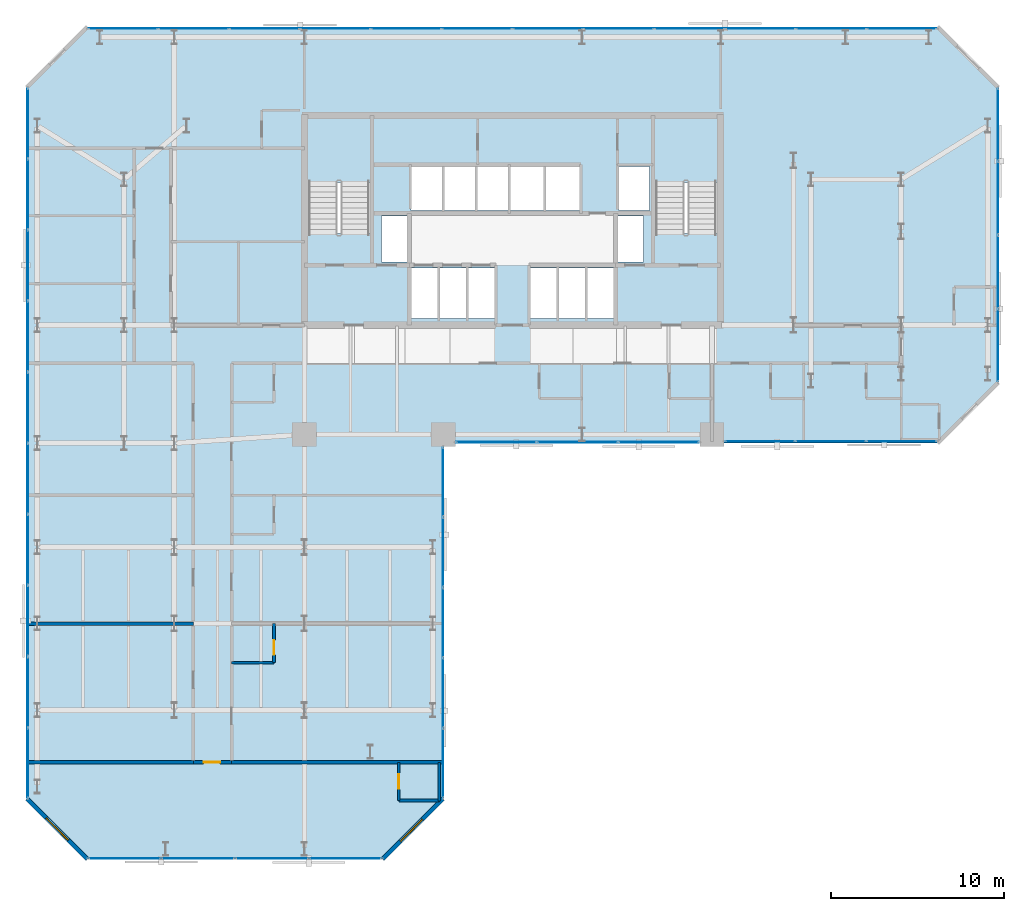
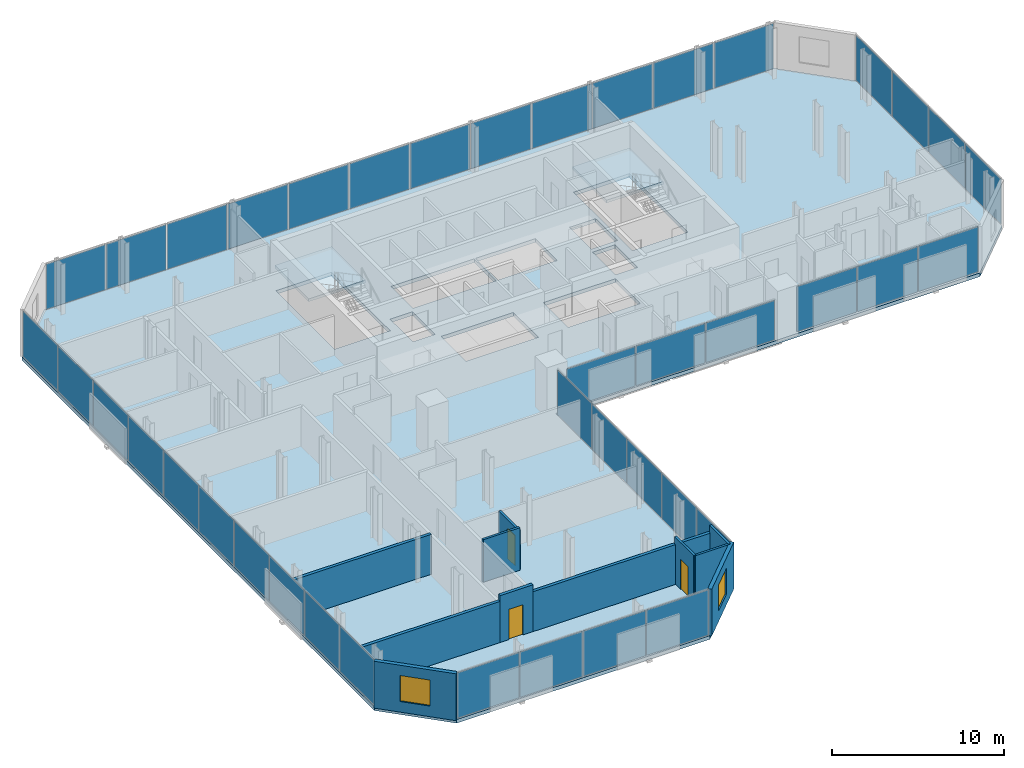
# One storey, part 27 of 32: 41 plates, 11 walls, 3 doors, 3 slabs, 2 windows, 5 openings, 9 elements without a shape of their own.
"""IFC4 building model written with IfcOpenShell, lengths in metres."""

import ifcopenshell
import ifcopenshell.guid

model = None  # the IFC model being written
_history = None  # IfcOwnerHistory: only IFC2X3 demands one
_inside = {}  # id of a spatial element -> (the spatial element, [elements in it])
_under = {}  # id of a project, library or spatial element -> (it, [spatial elements below it])
_declared = {}  # id of a project -> (the project, [libraries it declares])
_typed = {}  # id of a type object -> (the type object, [elements of that type])
_made_of = {}  # id of a material, layer set ... -> (it, [elements and type objects made of it])


def new_model(schema):
    """Start an empty IFC model of exactly this schema.

    Asked for "IFC4X3", IfcOpenShell would pick the latest addendum, in which some entities
    have other attributes; the version numbers below select the first issue.
    IFC2X3 requires an IfcOwnerHistory on every rooted entity: one is made here for all.
    """
    global model, _history
    if schema == "IFC4X3":
        model = ifcopenshell.file(schema_version=(4, 3, 0, 0))
    else:
        model = ifcopenshell.file(schema=schema)
    _inside.clear()
    _under.clear()
    _declared.clear()
    _typed.clear()
    _made_of.clear()
    _history = None
    if model.schema == "IFC2X3":
        org = make("IfcOrganization", Name="unknown")
        user = make(
            "IfcPersonAndOrganization",
            ThePerson=make("IfcPerson", FamilyName="unknown"),
            TheOrganization=org,
        )
        app = make(
            "IfcApplication",
            ApplicationDeveloper=org,
            Version="unknown",
            ApplicationFullName="unknown",
            ApplicationIdentifier="unknown",
        )
        _history = make(
            "IfcOwnerHistory",
            OwningUser=user,
            OwningApplication=app,
            ChangeAction="ADDED",
            CreationDate=0,
        )
    return model


def make(cls, **values):
    """One entity of the class cls with the attributes given. An attribute that is None is left unset."""
    return model.create_entity(
        cls, **{name: value for name, value in values.items() if value is not None}
    )


def rooted(cls, **values):
    """An entity with a GlobalId (a new one), such as an element, a storey or a relation."""
    return make(cls, GlobalId=ifcopenshell.guid.new(), OwnerHistory=_history, **values)


def si_unit(unit_type, name, prefix=None):
    """IfcSIUnit, for example si_unit("LENGTHUNIT", "METRE", prefix="MILLI")."""
    return make("IfcSIUnit", UnitType=unit_type, Prefix=prefix, Name=name)


def assignment(units):
    """IfcUnitAssignment: the units of a project."""
    return None if units is None else make("IfcUnitAssignment", Units=units)


def point(xyz):
    """IfcCartesianPoint."""
    return None if xyz is None else make("IfcCartesianPoint", Coordinates=xyz)


def direction(xyz):
    """IfcDirection."""
    return None if xyz is None else make("IfcDirection", DirectionRatios=xyz)


def frame(location, z_axis=None, x_axis=None):
    """IfcAxis2Placement3D, a coordinate frame: its origin and axes. An axis left out is left unset."""
    return make(
        "IfcAxis2Placement3D",
        Location=point(location),
        Axis=direction(z_axis),
        RefDirection=direction(x_axis),
    )


def frame_2d(location, x_axis=None):
    """IfcAxis2Placement2D, a coordinate frame in the plane: its origin and x axis."""
    return make(
        "IfcAxis2Placement2D", Location=point(location), RefDirection=direction(x_axis)
    )


def origin():
    """The frame at (0, 0, 0) with its axes left unset."""
    return frame((0.0, 0.0, 0.0))


def origin_2d():
    """The frame at (0, 0) in the plane with its x axis left unset."""
    return frame_2d((0.0, 0.0))


def place(relative_to, where):
    """IfcLocalPlacement: puts the frame where relative to a parent placement (None: the world)."""
    return make(
        "IfcLocalPlacement", PlacementRelTo=relative_to, RelativePlacement=where
    )


def context(
    kind, dimensions, precision=None, world=None, true_north=None, identifier=None
):
    """IfcGeometricRepresentationContext, for example the 3D "Model" context."""
    return make(
        "IfcGeometricRepresentationContext",
        ContextIdentifier=identifier,
        ContextType=kind,
        CoordinateSpaceDimension=dimensions,
        Precision=precision,
        WorldCoordinateSystem=world,
        TrueNorth=true_north,
    )


def subcontext(parent, identifier, kind, view, scale=None):
    """IfcGeometricRepresentationSubContext, for example "Body" below "Model"."""
    return make(
        "IfcGeometricRepresentationSubContext",
        ContextIdentifier=identifier,
        ContextType=kind,
        ParentContext=parent,
        TargetScale=scale,
        TargetView=view,
    )


def project(units=None, contexts=None):
    """IfcProject with its units and contexts."""
    return rooted(
        "IfcProject",
        Name="project",
        RepresentationContexts=contexts,
        UnitsInContext=assignment(units),
    )


def spatial(cls, under=None, at=None, **own):
    """A site, building, storey or space (cls), placed at a placement, below another one or the project."""
    s = rooted(cls, ObjectPlacement=at, **own)
    if under is not None:
        _under.setdefault(under.id(), (under, []))[1].append(s)
    return s


def polyline(points):
    """IfcPolyline through the points."""
    return make("IfcPolyline", Points=[point(p) for p in points])


def profile(cls, at=None, kind="AREA", **sizes):
    """A parametric profile (cls). Its sizes go by their IFC names, for example OverallWidth=200.0."""
    return make(cls, ProfileType=kind, Position=at, **sizes)


def rectangle(**sizes):
    """IfcRectangleProfileDef."""
    return profile("IfcRectangleProfileDef", **sizes)


def outline(outer, holes=None, kind="AREA"):
    """IfcArbitraryClosedProfileDef: a profile drawn as a closed curve; with holes, ...WithVoids."""
    if holes is None:
        return make("IfcArbitraryClosedProfileDef", ProfileType=kind, OuterCurve=outer)
    return make(
        "IfcArbitraryProfileDefWithVoids",
        ProfileType=kind,
        OuterCurve=outer,
        InnerCurves=holes,
    )


def extrude(swept, where, along, depth):
    """IfcExtrudedAreaSolid: the profile swept, set in the frame where, extruded along a direction by depth."""
    return make(
        "IfcExtrudedAreaSolid",
        SweptArea=swept,
        Position=where,
        ExtrudedDirection=direction(along),
        Depth=depth,
    )


def shape(context_of_items, identifier, shape_type, items):
    """IfcShapeRepresentation: the items that make up one representation, for example the "Body"."""
    return make(
        "IfcShapeRepresentation",
        ContextOfItems=context_of_items,
        RepresentationIdentifier=identifier,
        RepresentationType=shape_type,
        Items=items,
    )


def material(Name=None, Category=None):
    """IfcMaterial."""
    return make("IfcMaterial", Name=Name, Category=Category)


def layer(
    of_material, thickness, ventilated=None, Name=None, Category=None, Priority=None
):
    """IfcMaterialLayer: one layer of a wall or slab, of a material (None: an air gap)."""
    return make(
        "IfcMaterialLayer",
        Material=of_material,
        LayerThickness=thickness,
        IsVentilated=ventilated,
        Name=Name,
        Category=Category,
        Priority=Priority,
    )


def layer_set(layers, Name=None):
    """IfcMaterialLayerSet."""
    return make("IfcMaterialLayerSet", MaterialLayers=layers, LayerSetName=Name)


def made_of(thing, what):
    """Note that an element or type object is made of a material, layer set ...; save() writes the relation."""
    if what is not None:
        _made_of.setdefault(what.id(), (what, []))[1].append(thing)
    return thing


def type_object(cls, material=None, **own):
    """A type object (cls), such as IfcWallType, which elements share."""
    return made_of(rooted(cls, **own), material)


def element(
    cls,
    number,
    at=None,
    inside=None,
    cuts=None,
    type_object=None,
    material=None,
    context=None,
    identifier="Body",
    shape_type=None,
    held_by="IfcProductDefinitionShape",
    body=None,
    shapes=None,
    **own,
):
    """One element of the class cls, such as IfcWall. Its Tag is "e" and its number.

    at: its placement. inside: the storey or other place that contains it. cuts: it is an
    opening in that element (IfcRelVoidsElement). A single representation is given by context,
    identifier, shape_type and body (its items); several are given by shapes. held_by: the class
    of the entity that holds the representations. save() writes the other relations.
    """
    e = rooted(cls, Tag="e%d" % number, ObjectPlacement=at, **own)
    if body is not None:
        shapes = [shape(context, identifier, shape_type, body)]
    if shapes is not None:
        e.Representation = make(held_by, Representations=shapes)
    if inside is not None:
        _inside.setdefault(inside.id(), (inside, []))[1].append(e)
    if cuts is not None:
        rooted(
            "IfcRelVoidsElement", RelatingBuildingElement=cuts, RelatedOpeningElement=e
        )
    if type_object is not None:
        _typed.setdefault(type_object.id(), (type_object, []))[1].append(e)
    return made_of(e, material)


def fill(opening, filler):
    """IfcRelFillsElement: the door or window that sits in an opening."""
    return rooted(
        "IfcRelFillsElement",
        RelatingOpeningElement=opening,
        RelatedBuildingElement=filler,
    )


def aggregate(whole, parts):
    """IfcRelAggregates: a whole, such as a stair, and the parts it consists of."""
    return rooted("IfcRelAggregates", RelatingObject=whole, RelatedObjects=parts)


def save(model, path):
    """Write the relations noted so far, then the file.

    IfcRelAggregates (storeys below a building ...), IfcRelContainedInSpatialStructure (elements
    in a storey), IfcRelDefinesByType, IfcRelAssociatesMaterial and IfcRelDeclares: one each for
    every whole, place, type object, material and project.
    """
    for whole, parts in _under.values():
        aggregate(whole, parts)
    for where, things in _inside.values():
        rooted(
            "IfcRelContainedInSpatialStructure",
            RelatedElements=things,
            RelatingStructure=where,
        )
    for kind, things in _typed.values():
        rooted("IfcRelDefinesByType", RelatedObjects=things, RelatingType=kind)
    for what, things in _made_of.values():
        rooted("IfcRelAssociatesMaterial", RelatedObjects=things, RelatingMaterial=what)
    for by, libraries in _declared.values():
        rooted("IfcRelDeclares", RelatingContext=by, RelatedDefinitions=libraries)
    model.write(path)


model = new_model("IFC4")

# Units and contexts
model_context = context("Model", 3, precision=1e-05, world=origin(), true_north=direction((0.0, 1.0)))
body_context = subcontext(model_context, "Body", "Model", "MODEL_VIEW")
ifc_project = project(units=[si_unit("LENGTHUNIT", "METRE"), si_unit("AREAUNIT", "SQUARE_METRE"), si_unit("VOLUMEUNIT", "CUBIC_METRE"), si_unit("PLANEANGLEUNIT", "RADIAN"), si_unit("MASSUNIT", "GRAM", prefix="KILO")], contexts=[model_context])

# Site, building, storey
site_placement = place(None, origin())
site = spatial("IfcSite", under=ifc_project, at=site_placement, CompositionType="ELEMENT")
building_placement = place(site_placement, origin())
building = spatial("IfcBuilding", under=site, at=building_placement, Name="Catumbela Crestline Tower", CompositionType="ELEMENT")
storey_placement = place(building_placement, frame((0.0, 0.0, 65.4)))
storey = spatial("IfcBuildingStorey", under=building, at=storey_placement, Name="L16", CompositionType="ELEMENT", Elevation=65.4)

# Curtain wall, plates
ifc_material_1 = material(Name="Aluminium alloy AW-6060-T66", Category="aluminium")
ifc_layer_1 = layer(ifc_material_1, 0.18, Name="Aluminium alloy AW-6060-T66")
ifc_layer_set_1 = layer_set([ifc_layer_1], Name="Aluminium alloy AW-6060-T66")
curtain_wall_type = type_object("IfcCurtainWallType", Name="CWU-Z1", PredefinedType="USERDEFINED", material=ifc_layer_set_1)
curtain_wall_1_placement = place(storey_placement, origin())
curtain_wall_1 = element("IfcCurtainWall", 1, at=curtain_wall_1_placement, inside=storey, type_object=curtain_wall_type, Name="L16 Unitised Curtain Wall CW-L16-E0S1", ObjectType="UNITISED", PredefinedType="USERDEFINED")
ifc_material_2 = material(Name="Low-E laminated solar-control double glazing", Category="glass")
ifc_layer_2 = layer(ifc_material_2, 0.034, Name="Low-E laminated solar-control double glazing")
ifc_layer_set_2 = layer_set([ifc_layer_2], Name="Low-E laminated solar-control double glazing")
plate_type = type_object("IfcPlateType", Name="PNL-GLZ-Z1", PredefinedType="CURTAIN_PANEL", material=ifc_layer_set_2)
plate_1_placement = place(storey_placement, frame((5.6412, 0.05, 0.06), z_axis=(0.0, 0.0, 1.0), x_axis=(1.0, 0.0, 0.0)))
plate_1 = element("IfcPlate", 2, at=plate_1_placement, type_object=plate_type, Name="CWU-Z1 panel 1.1", PredefinedType="CURTAIN_PANEL", context=body_context, shape_type="SweptSolid", body=[
    extrude(rectangle(XDim=4.1525, YDim=0.034, at=origin_2d()), origin(), (0.0, 0.0, 1.0), 3.21),
])
plate_2_placement = place(storey_placement, frame((9.875, 0.05, 0.06), z_axis=(0.0, 0.0, 1.0), x_axis=(1.0, 0.0, 0.0)))
plate_2 = element("IfcPlate", 3, at=plate_2_placement, type_object=plate_type, Name="CWU-Z1 panel 2.1", PredefinedType="CURTAIN_PANEL", context=body_context, shape_type="SweptSolid", body=[
    extrude(rectangle(XDim=4.185, YDim=0.034, at=origin_2d()), origin(), (0.0, 0.0, 1.0), 3.21),
])
plate_3_placement = place(storey_placement, frame((14.125, 0.05, 0.06), z_axis=(0.0, 0.0, 1.0), x_axis=(1.0, 0.0, 0.0)))
plate_3 = element("IfcPlate", 4, at=plate_3_placement, type_object=plate_type, Name="CWU-Z1 panel 3.1", PredefinedType="CURTAIN_PANEL", context=body_context, shape_type="SweptSolid", body=[
    extrude(rectangle(XDim=4.185, YDim=0.034, at=origin_2d()), origin(), (0.0, 0.0, 1.0), 3.21),
])
plate_4_placement = place(storey_placement, frame((18.3588, 0.05, 0.06), z_axis=(0.0, 0.0, 1.0), x_axis=(1.0, 0.0, 0.0)))
plate_4 = element("IfcPlate", 5, at=plate_4_placement, type_object=plate_type, Name="CWU-Z1 panel 4.1", PredefinedType="CURTAIN_PANEL", context=body_context, shape_type="SweptSolid", body=[
    extrude(rectangle(XDim=4.1525, YDim=0.034, at=origin_2d()), origin(), (0.0, 0.0, 1.0), 3.21),
])
aggregate(curtain_wall_1, [plate_1, plate_2, plate_3, plate_4])

curtain_wall_2_placement = place(storey_placement, origin())
curtain_wall_2 = element("IfcCurtainWall", 6, at=curtain_wall_2_placement, inside=storey, type_object=curtain_wall_type, Name="L16 Unitised Curtain Wall CW-L16-E2S1", ObjectType="UNITISED", PredefinedType="USERDEFINED")
plate_5_placement = place(storey_placement, frame((24.0, 5.5462, 0.06), z_axis=(0.0, 0.0, 1.0), x_axis=(0.0, 1.0, 0.0)))
plate_5 = element("IfcPlate", 7, at=plate_5_placement, type_object=plate_type, Name="CWU-Z1 panel 1.1", PredefinedType="CURTAIN_PANEL", context=body_context, shape_type="SweptSolid", body=[
    extrude(rectangle(XDim=3.9625, YDim=0.034, at=origin_2d()), origin(), (0.0, 0.0, 1.0), 3.21),
])
plate_6_placement = place(storey_placement, frame((24.0, 9.59, 0.06), z_axis=(0.0, 0.0, 1.0), x_axis=(0.0, 1.0, 0.0)))
plate_6 = element("IfcPlate", 8, at=plate_6_placement, type_object=plate_type, Name="CWU-Z1 panel 2.1", PredefinedType="CURTAIN_PANEL", context=body_context, shape_type="SweptSolid", body=[
    extrude(rectangle(XDim=3.995, YDim=0.034, at=origin_2d()), origin(), (0.0, 0.0, 1.0), 3.21),
])
plate_7_placement = place(storey_placement, frame((24.0, 13.65, 0.06), z_axis=(0.0, 0.0, 1.0), x_axis=(0.0, 1.0, 0.0)))
plate_7 = element("IfcPlate", 9, at=plate_7_placement, type_object=plate_type, Name="CWU-Z1 panel 3.1", PredefinedType="CURTAIN_PANEL", context=body_context, shape_type="SweptSolid", body=[
    extrude(rectangle(XDim=3.995, YDim=0.034, at=origin_2d()), origin(), (0.0, 0.0, 1.0), 3.21),
])
plate_8_placement = place(storey_placement, frame((24.0, 17.71, 0.06), z_axis=(0.0, 0.0, 1.0), x_axis=(0.0, 1.0, 0.0)))
plate_8 = element("IfcPlate", 10, at=plate_8_placement, type_object=plate_type, Name="CWU-Z1 panel 4.1", PredefinedType="CURTAIN_PANEL", context=body_context, shape_type="SweptSolid", body=[
    extrude(rectangle(XDim=3.995, YDim=0.034, at=origin_2d()), origin(), (0.0, 0.0, 1.0), 3.21),
])
plate_9_placement = place(storey_placement, frame((24.0, 21.7538, 0.06), z_axis=(0.0, 0.0, 1.0), x_axis=(0.0, 1.0, 0.0)))
plate_9 = element("IfcPlate", 11, at=plate_9_placement, type_object=plate_type, Name="CWU-Z1 panel 5.1", PredefinedType="CURTAIN_PANEL", context=body_context, shape_type="SweptSolid", body=[
    extrude(rectangle(XDim=3.9625, YDim=0.034, at=origin_2d()), origin(), (0.0, 0.0, 1.0), 3.21),
])
aggregate(curtain_wall_2, [plate_5, plate_6, plate_7, plate_8, plate_9])

curtain_wall_3_placement = place(storey_placement, origin())
curtain_wall_3 = element("IfcCurtainWall", 12, at=curtain_wall_3_placement, inside=storey, type_object=curtain_wall_type, Name="L16 Unitised Curtain Wall CW-L16-E3S1", ObjectType="UNITISED", PredefinedType="USERDEFINED")
plate_10_placement = place(storey_placement, frame((27.0662, 24.05, 0.06), z_axis=(0.0, 0.0, 1.0), x_axis=(1.0, 0.0, 0.0)))
plate_10 = element("IfcPlate", 13, at=plate_10_placement, type_object=plate_type, Name="CWU-Z1 panel 1.1", PredefinedType="CURTAIN_PANEL", context=body_context, shape_type="SweptSolid", body=[
    extrude(rectangle(XDim=4.6025, YDim=0.034, at=origin_2d()), origin(), (0.0, 0.0, 1.0), 2.8),
])
plate_11_placement = place(storey_placement, frame((31.75, 24.05, 0.06), z_axis=(0.0, 0.0, 1.0), x_axis=(1.0, 0.0, 0.0)))
plate_11 = element("IfcPlate", 14, at=plate_11_placement, type_object=plate_type, Name="CWU-Z1 panel 2.1", PredefinedType="CURTAIN_PANEL", context=body_context, shape_type="SweptSolid", body=[
    extrude(rectangle(XDim=4.635, YDim=0.034, at=origin_2d()), origin(), (0.0, 0.0, 1.0), 2.8),
])
plate_12_placement = place(storey_placement, frame((36.4338, 24.05, 0.06), z_axis=(0.0, 0.0, 1.0), x_axis=(1.0, 0.0, 0.0)))
plate_12 = element("IfcPlate", 15, at=plate_12_placement, type_object=plate_type, Name="CWU-Z1 panel 3.1", PredefinedType="CURTAIN_PANEL", context=body_context, shape_type="SweptSolid", body=[
    extrude(rectangle(XDim=4.6025, YDim=0.034, at=origin_2d()), origin(), (0.0, 0.0, 1.0), 2.8),
])
aggregate(curtain_wall_3, [plate_10, plate_11, plate_12])

curtain_wall_4_placement = place(storey_placement, origin())
curtain_wall_4 = element("IfcCurtainWall", 16, at=curtain_wall_4_placement, inside=storey, type_object=curtain_wall_type, Name="L16 Unitised Curtain Wall CW-L16-E3S2", ObjectType="UNITISED", PredefinedType="USERDEFINED")
plate_13_placement = place(storey_placement, frame((42.2662, 24.1, 0.06), z_axis=(0.0, 0.0, 1.0), x_axis=(1.0, 0.0, 0.0)))
plate_13 = element("IfcPlate", 17, at=plate_13_placement, type_object=plate_type, Name="CWU-Z1 panel 1.1", PredefinedType="CURTAIN_PANEL", context=body_context, shape_type="SweptSolid", body=[
    extrude(rectangle(XDim=4.0025, YDim=0.034, at=origin_2d()), origin(), (0.0, 0.0, 1.0), 3.21),
])
plate_14_placement = place(storey_placement, frame((46.35, 24.1, 0.06), z_axis=(0.0, 0.0, 1.0), x_axis=(1.0, 0.0, 0.0)))
plate_14 = element("IfcPlate", 18, at=plate_14_placement, type_object=plate_type, Name="CWU-Z1 panel 2.1", PredefinedType="CURTAIN_PANEL", context=body_context, shape_type="SweptSolid", body=[
    extrude(rectangle(XDim=4.035, YDim=0.034, at=origin_2d()), origin(), (0.0, 0.0, 1.0), 3.21),
])
plate_15_placement = place(storey_placement, frame((50.4338, 24.1, 0.06), z_axis=(0.0, 0.0, 1.0), x_axis=(1.0, 0.0, 0.0)))
plate_15 = element("IfcPlate", 19, at=plate_15_placement, type_object=plate_type, Name="CWU-Z1 panel 3.1", PredefinedType="CURTAIN_PANEL", context=body_context, shape_type="SweptSolid", body=[
    extrude(rectangle(XDim=4.0025, YDim=0.034, at=origin_2d()), origin(), (0.0, 0.0, 1.0), 3.21),
])
aggregate(curtain_wall_4, [plate_13, plate_14, plate_15])

curtain_wall_5_placement = place(storey_placement, origin())
curtain_wall_5 = element("IfcCurtainWall", 20, at=curtain_wall_5_placement, inside=storey, type_object=curtain_wall_type, Name="L16 Unitised Curtain Wall CW-L16-E5S1", ObjectType="UNITISED", PredefinedType="USERDEFINED")
plate_16_placement = place(storey_placement, frame((56.0, 29.6412, 0.06), z_axis=(0.0, 0.0, 1.0), x_axis=(0.0, 1.0, 0.0)))
plate_16 = element("IfcPlate", 21, at=plate_16_placement, type_object=plate_type, Name="CWU-Z1 panel 1.1", PredefinedType="CURTAIN_PANEL", context=body_context, shape_type="SweptSolid", body=[
    extrude(rectangle(XDim=4.1525, YDim=0.034, at=origin_2d()), origin(), (0.0, 0.0, 1.0), 3.21),
])
plate_17_placement = place(storey_placement, frame((56.0, 33.875, 0.06), z_axis=(0.0, 0.0, 1.0), x_axis=(0.0, 1.0, 0.0)))
plate_17 = element("IfcPlate", 22, at=plate_17_placement, type_object=plate_type, Name="CWU-Z1 panel 2.1", PredefinedType="CURTAIN_PANEL", context=body_context, shape_type="SweptSolid", body=[
    extrude(rectangle(XDim=4.185, YDim=0.034, at=origin_2d()), origin(), (0.0, 0.0, 1.0), 3.21),
])
plate_18_placement = place(storey_placement, frame((56.0, 38.125, 0.06), z_axis=(0.0, 0.0, 1.0), x_axis=(0.0, 1.0, 0.0)))
plate_18 = element("IfcPlate", 23, at=plate_18_placement, type_object=plate_type, Name="CWU-Z1 panel 3.1", PredefinedType="CURTAIN_PANEL", context=body_context, shape_type="SweptSolid", body=[
    extrude(rectangle(XDim=4.185, YDim=0.034, at=origin_2d()), origin(), (0.0, 0.0, 1.0), 3.21),
])
plate_19_placement = place(storey_placement, frame((56.0, 42.3588, 0.06), z_axis=(0.0, 0.0, 1.0), x_axis=(0.0, 1.0, 0.0)))
plate_19 = element("IfcPlate", 24, at=plate_19_placement, type_object=plate_type, Name="CWU-Z1 panel 4.1", PredefinedType="CURTAIN_PANEL", context=body_context, shape_type="SweptSolid", body=[
    extrude(rectangle(XDim=4.1525, YDim=0.034, at=origin_2d()), origin(), (0.0, 0.0, 1.0), 3.21),
])
aggregate(curtain_wall_5, [plate_16, plate_17, plate_18, plate_19])

curtain_wall_6_placement = place(storey_placement, origin())
curtain_wall_6 = element("IfcCurtainWall", 25, at=curtain_wall_6_placement, inside=storey, type_object=curtain_wall_type, Name="L16 Unitised Curtain Wall CW-L16-E7S1", ObjectType="UNITISED", PredefinedType="USERDEFINED")
plate_20_placement = place(storey_placement, frame((50.4421, 47.9, 0.06), z_axis=(0.0, 0.0, 1.0), x_axis=(-1.0, 0.0, 0.0)))
plate_20 = element("IfcPlate", 26, at=plate_20_placement, type_object=plate_type, Name="CWU-Z1 panel 1.1", PredefinedType="CURTAIN_PANEL", context=body_context, shape_type="SweptSolid", body=[
    extrude(rectangle(XDim=3.9858, YDim=0.034, at=origin_2d()), origin(), (0.0, 0.0, 1.0), 3.21),
])
plate_21_placement = place(storey_placement, frame((46.375, 47.9, 0.06), z_axis=(0.0, 0.0, 1.0), x_axis=(-1.0, 0.0, 0.0)))
plate_21 = element("IfcPlate", 27, at=plate_21_placement, type_object=plate_type, Name="CWU-Z1 panel 2.1", PredefinedType="CURTAIN_PANEL", context=body_context, shape_type="SweptSolid", body=[
    extrude(rectangle(XDim=4.0183, YDim=0.034, at=origin_2d()), origin(), (0.0, 0.0, 1.0), 3.21),
])
plate_22_placement = place(storey_placement, frame((42.2917, 47.9, 0.06), z_axis=(0.0, 0.0, 1.0), x_axis=(-1.0, 0.0, 0.0)))
plate_22 = element("IfcPlate", 28, at=plate_22_placement, type_object=plate_type, Name="CWU-Z1 panel 3.1", PredefinedType="CURTAIN_PANEL", context=body_context, shape_type="SweptSolid", body=[
    extrude(rectangle(XDim=4.0183, YDim=0.034, at=origin_2d()), origin(), (0.0, 0.0, 1.0), 3.21),
])
plate_23_placement = place(storey_placement, frame((38.2083, 47.9, 0.06), z_axis=(0.0, 0.0, 1.0), x_axis=(-1.0, 0.0, 0.0)))
plate_23 = element("IfcPlate", 29, at=plate_23_placement, type_object=plate_type, Name="CWU-Z1 panel 4.1", PredefinedType="CURTAIN_PANEL", context=body_context, shape_type="SweptSolid", body=[
    extrude(rectangle(XDim=4.0183, YDim=0.034, at=origin_2d()), origin(), (0.0, 0.0, 1.0), 3.21),
])
plate_24_placement = place(storey_placement, frame((34.125, 47.9, 0.06), z_axis=(0.0, 0.0, 1.0), x_axis=(-1.0, 0.0, 0.0)))
plate_24 = element("IfcPlate", 30, at=plate_24_placement, type_object=plate_type, Name="CWU-Z1 panel 5.1", PredefinedType="CURTAIN_PANEL", context=body_context, shape_type="SweptSolid", body=[
    extrude(rectangle(XDim=4.0183, YDim=0.034, at=origin_2d()), origin(), (0.0, 0.0, 1.0), 3.21),
])
plate_25_placement = place(storey_placement, frame((30.0417, 47.9, 0.06), z_axis=(0.0, 0.0, 1.0), x_axis=(-1.0, 0.0, 0.0)))
plate_25 = element("IfcPlate", 31, at=plate_25_placement, type_object=plate_type, Name="CWU-Z1 panel 6.1", PredefinedType="CURTAIN_PANEL", context=body_context, shape_type="SweptSolid", body=[
    extrude(rectangle(XDim=4.0183, YDim=0.034, at=origin_2d()), origin(), (0.0, 0.0, 1.0), 3.21),
])
plate_26_placement = place(storey_placement, frame((25.9583, 47.9, 0.06), z_axis=(0.0, 0.0, 1.0), x_axis=(-1.0, 0.0, 0.0)))
plate_26 = element("IfcPlate", 32, at=plate_26_placement, type_object=plate_type, Name="CWU-Z1 panel 7.1", PredefinedType="CURTAIN_PANEL", context=body_context, shape_type="SweptSolid", body=[
    extrude(rectangle(XDim=4.0183, YDim=0.034, at=origin_2d()), origin(), (0.0, 0.0, 1.0), 3.21),
])
plate_27_placement = place(storey_placement, frame((21.875, 47.9, 0.06), z_axis=(0.0, 0.0, 1.0), x_axis=(-1.0, 0.0, 0.0)))
plate_27 = element("IfcPlate", 33, at=plate_27_placement, type_object=plate_type, Name="CWU-Z1 panel 8.1", PredefinedType="CURTAIN_PANEL", context=body_context, shape_type="SweptSolid", body=[
    extrude(rectangle(XDim=4.0183, YDim=0.034, at=origin_2d()), origin(), (0.0, 0.0, 1.0), 3.21),
])
plate_28_placement = place(storey_placement, frame((17.7917, 47.9, 0.06), z_axis=(0.0, 0.0, 1.0), x_axis=(-1.0, 0.0, 0.0)))
plate_28 = element("IfcPlate", 34, at=plate_28_placement, type_object=plate_type, Name="CWU-Z1 panel 9.1", PredefinedType="CURTAIN_PANEL", context=body_context, shape_type="SweptSolid", body=[
    extrude(rectangle(XDim=4.0183, YDim=0.034, at=origin_2d()), origin(), (0.0, 0.0, 1.0), 3.21),
])
plate_29_placement = place(storey_placement, frame((13.7083, 47.9, 0.06), z_axis=(0.0, 0.0, 1.0), x_axis=(-1.0, 0.0, 0.0)))
plate_29 = element("IfcPlate", 35, at=plate_29_placement, type_object=plate_type, Name="CWU-Z1 panel 10.1", PredefinedType="CURTAIN_PANEL", context=body_context, shape_type="SweptSolid", body=[
    extrude(rectangle(XDim=4.0183, YDim=0.034, at=origin_2d()), origin(), (0.0, 0.0, 1.0), 3.21),
])
plate_30_placement = place(storey_placement, frame((9.625, 47.9, 0.06), z_axis=(0.0, 0.0, 1.0), x_axis=(-1.0, 0.0, 0.0)))
plate_30 = element("IfcPlate", 36, at=plate_30_placement, type_object=plate_type, Name="CWU-Z1 panel 11.1", PredefinedType="CURTAIN_PANEL", context=body_context, shape_type="SweptSolid", body=[
    extrude(rectangle(XDim=4.0183, YDim=0.034, at=origin_2d()), origin(), (0.0, 0.0, 1.0), 3.21),
])
plate_31_placement = place(storey_placement, frame((5.5579, 47.9, 0.06), z_axis=(0.0, 0.0, 1.0), x_axis=(-1.0, 0.0, 0.0)))
plate_31 = element("IfcPlate", 37, at=plate_31_placement, type_object=plate_type, Name="CWU-Z1 panel 12.1", PredefinedType="CURTAIN_PANEL", context=body_context, shape_type="SweptSolid", body=[
    extrude(rectangle(XDim=3.9858, YDim=0.034, at=origin_2d()), origin(), (0.0, 0.0, 1.0), 3.21),
])
aggregate(curtain_wall_6, [plate_20, plate_21, plate_22, plate_23, plate_24, plate_25, plate_26, plate_27, plate_28, plate_29, plate_30, plate_31])

curtain_wall_7_placement = place(storey_placement, origin())
curtain_wall_7 = element("IfcCurtainWall", 38, at=curtain_wall_7_placement, inside=storey, type_object=curtain_wall_type, Name="L16 Unitised Curtain Wall CW-L16-E9S1", ObjectType="UNITISED", PredefinedType="USERDEFINED")
plate_32_placement = place(storey_placement, frame((0.05, 42.4338, 0.06), z_axis=(0.0, 0.0, 1.0), x_axis=(0.0, -1.0, 0.0)))
plate_32 = element("IfcPlate", 39, at=plate_32_placement, type_object=plate_type, Name="CWU-Z1 panel 1.1", PredefinedType="CURTAIN_PANEL", context=body_context, shape_type="SweptSolid", body=[
    extrude(rectangle(XDim=4.0025, YDim=0.034, at=origin_2d()), origin(), (0.0, 0.0, 1.0), 3.21),
])
plate_33_placement = place(storey_placement, frame((0.05, 38.35, 0.06), z_axis=(0.0, 0.0, 1.0), x_axis=(0.0, -1.0, 0.0)))
plate_33 = element("IfcPlate", 40, at=plate_33_placement, type_object=plate_type, Name="CWU-Z1 panel 2.1", PredefinedType="CURTAIN_PANEL", context=body_context, shape_type="SweptSolid", body=[
    extrude(rectangle(XDim=4.035, YDim=0.034, at=origin_2d()), origin(), (0.0, 0.0, 1.0), 3.21),
])
plate_34_placement = place(storey_placement, frame((0.05, 34.25, 0.06), z_axis=(0.0, 0.0, 1.0), x_axis=(0.0, -1.0, 0.0)))
plate_34 = element("IfcPlate", 41, at=plate_34_placement, type_object=plate_type, Name="CWU-Z1 panel 3.1", PredefinedType="CURTAIN_PANEL", context=body_context, shape_type="SweptSolid", body=[
    extrude(rectangle(XDim=4.035, YDim=0.034, at=origin_2d()), origin(), (0.0, 0.0, 1.0), 3.21),
])
plate_35_placement = place(storey_placement, frame((0.05, 30.15, 0.06), z_axis=(0.0, 0.0, 1.0), x_axis=(0.0, -1.0, 0.0)))
plate_35 = element("IfcPlate", 42, at=plate_35_placement, type_object=plate_type, Name="CWU-Z1 panel 4.1", PredefinedType="CURTAIN_PANEL", context=body_context, shape_type="SweptSolid", body=[
    extrude(rectangle(XDim=4.035, YDim=0.034, at=origin_2d()), origin(), (0.0, 0.0, 1.0), 3.21),
])
plate_36_placement = place(storey_placement, frame((0.05, 26.05, 0.06), z_axis=(0.0, 0.0, 1.0), x_axis=(0.0, -1.0, 0.0)))
plate_36 = element("IfcPlate", 43, at=plate_36_placement, type_object=plate_type, Name="CWU-Z1 panel 5.1", PredefinedType="CURTAIN_PANEL", context=body_context, shape_type="SweptSolid", body=[
    extrude(rectangle(XDim=4.035, YDim=0.034, at=origin_2d()), origin(), (0.0, 0.0, 1.0), 3.21),
])
plate_37_placement = place(storey_placement, frame((0.05, 21.95, 0.06), z_axis=(0.0, 0.0, 1.0), x_axis=(0.0, -1.0, 0.0)))
plate_37 = element("IfcPlate", 44, at=plate_37_placement, type_object=plate_type, Name="CWU-Z1 panel 6.1", PredefinedType="CURTAIN_PANEL", context=body_context, shape_type="SweptSolid", body=[
    extrude(rectangle(XDim=4.035, YDim=0.034, at=origin_2d()), origin(), (0.0, 0.0, 1.0), 3.21),
])
plate_38_placement = place(storey_placement, frame((0.05, 17.85, 0.06), z_axis=(0.0, 0.0, 1.0), x_axis=(0.0, -1.0, 0.0)))
plate_38 = element("IfcPlate", 45, at=plate_38_placement, type_object=plate_type, Name="CWU-Z1 panel 7.1", PredefinedType="CURTAIN_PANEL", context=body_context, shape_type="SweptSolid", body=[
    extrude(rectangle(XDim=4.035, YDim=0.034, at=origin_2d()), origin(), (0.0, 0.0, 1.0), 3.21),
])
plate_39_placement = place(storey_placement, frame((0.05, 13.75, 0.06), z_axis=(0.0, 0.0, 1.0), x_axis=(0.0, -1.0, 0.0)))
plate_39 = element("IfcPlate", 46, at=plate_39_placement, type_object=plate_type, Name="CWU-Z1 panel 8.1", PredefinedType="CURTAIN_PANEL", context=body_context, shape_type="SweptSolid", body=[
    extrude(rectangle(XDim=4.035, YDim=0.034, at=origin_2d()), origin(), (0.0, 0.0, 1.0), 3.21),
])
plate_40_placement = place(storey_placement, frame((0.05, 9.65, 0.06), z_axis=(0.0, 0.0, 1.0), x_axis=(0.0, -1.0, 0.0)))
plate_40 = element("IfcPlate", 47, at=plate_40_placement, type_object=plate_type, Name="CWU-Z1 panel 9.1", PredefinedType="CURTAIN_PANEL", context=body_context, shape_type="SweptSolid", body=[
    extrude(rectangle(XDim=4.035, YDim=0.034, at=origin_2d()), origin(), (0.0, 0.0, 1.0), 3.21),
])
plate_41_placement = place(storey_placement, frame((0.05, 5.5662, 0.06), z_axis=(0.0, 0.0, 1.0), x_axis=(0.0, -1.0, 0.0)))
plate_41 = element("IfcPlate", 48, at=plate_41_placement, type_object=plate_type, Name="CWU-Z1 panel 10.1", PredefinedType="CURTAIN_PANEL", context=body_context, shape_type="SweptSolid", body=[
    extrude(rectangle(XDim=4.0025, YDim=0.034, at=origin_2d()), origin(), (0.0, 0.0, 1.0), 3.21),
])
aggregate(curtain_wall_7, [plate_32, plate_33, plate_34, plate_35, plate_36, plate_37, plate_38, plate_39, plate_40, plate_41])

# Stair, slab
ifc_material_3 = material(Name="Concrete C45/55", Category="concrete")
stair_type = type_object("IfcStairType", Name="ST-DLG", PredefinedType="HALF_TURN_STAIR", material=ifc_material_3)
stair_1_placement = place(storey_placement, origin())
stair_1 = element("IfcStair", 49, at=stair_1_placement, inside=storey, type_object=stair_type, Name="L16 West Core Pressurised Exit Stair ST-01", PredefinedType="HALF_TURN_STAIR")
ifc_layer_3 = layer(ifc_material_3, 0.2, Name="Concrete C45/55")
ifc_layer_set_3 = layer_set([ifc_layer_3], Name="Concrete C45/55")
slab_type_1 = type_object("IfcSlabType", Name="SL-LND", PredefinedType="LANDING", material=ifc_layer_set_3)
slab_1_placement = place(storey_placement, frame((0.0, 0.0, 1.6)))
slab_1 = element("IfcSlab", 50, at=slab_1_placement, type_object=slab_type_1, Name="ST-01 landing 1", PredefinedType="LANDING", context=body_context, shape_type="SweptSolid", body=[
    extrude(outline(polyline([(19.91, 39.02), (19.91, 42.96), (16.09, 42.96), (16.09, 39.02), (19.91, 39.02)])), origin(), (0.0, 0.0, 1.0), 0.2),
])
aggregate(stair_1, [slab_1])

stair_2_placement = place(storey_placement, origin())
stair_2 = element("IfcStair", 51, at=stair_2_placement, inside=storey, type_object=stair_type, Name="L16 East Core Pressurised Exit Stair ST-02", PredefinedType="HALF_TURN_STAIR")
slab_2_placement = place(storey_placement, frame((0.0, 0.0, 1.6)))
slab_2 = element("IfcSlab", 52, at=slab_2_placement, type_object=slab_type_1, Name="ST-02 landing 1", PredefinedType="LANDING", context=body_context, shape_type="SweptSolid", body=[
    extrude(outline(polyline([(39.91, 39.02), (39.91, 42.96), (36.09, 42.96), (36.09, 39.02), (39.91, 39.02)])), origin(), (0.0, 0.0, 1.0), 0.2),
])
aggregate(stair_2, [slab_2])

# Slab
ifc_layer_4 = layer(ifc_material_3, 0.26, Name="Concrete C45/55")
ifc_layer_set_4 = layer_set([ifc_layer_4], Name="Concrete C45/55")
slab_type_2 = type_object("IfcSlabType", Name="SL-260", PredefinedType="FLOOR", material=ifc_layer_set_4)
slab_3_placement = place(storey_placement, frame((0.0, 0.0, -0.26)))
element("IfcSlab", 53, at=slab_3_placement, inside=storey, type_object=slab_type_2, Name="L16 Structural Floor Slab", PredefinedType="FLOOR", context=body_context, shape_type="SweptSolid", body=[
    extrude(outline(polyline([(3.5, 0.0), (20.5, 0.0), (24.0, 3.5), (24.0, 24.0), (52.5, 24.0), (56.0, 27.5), (56.0, 44.5), (52.5, 48.0), (3.5, 48.0), (0.0, 44.5), (0.0, 3.5), (3.5, 0.0)]), holes=[polyline([(16.13, 36.08), (19.87, 36.08), (19.87, 42.92), (16.13, 42.92), (16.13, 36.08)]), polyline([(36.13, 36.08), (39.87, 36.08), (39.87, 42.92), (36.13, 42.92), (36.13, 36.08)]), polyline([(22.15, 31.2), (27.0, 31.2), (27.0, 34.1), (22.15, 34.1), (22.15, 31.2)]), polyline([(29.0, 31.2), (33.85, 31.2), (33.85, 34.1), (29.0, 34.1), (29.0, 31.2)]), polyline([(22.15, 37.4), (27.75, 37.4), (27.75, 39.95), (22.15, 39.95), (22.15, 37.4)]), polyline([(27.85, 37.4), (31.85, 37.4), (31.85, 39.95), (27.85, 39.95), (27.85, 37.4)]), polyline([(20.45, 34.45), (21.95, 34.45), (21.95, 37.1), (20.45, 37.1), (20.45, 34.45)]), polyline([(34.05, 34.45), (35.55, 34.45), (35.55, 37.1), (34.05, 37.1), (34.05, 34.45)]), polyline([(34.15, 37.4), (35.9, 37.4), (35.9, 39.95), (34.15, 39.95), (34.15, 37.4)])]), origin(), (0.0, 0.0, 1.0), 0.26),
])

# Wall, opening, door
ifc_material_4 = material(Name="Acoustic gypsum and mineral-wool partition")
ifc_layer_5 = layer(ifc_material_4, 0.2, Name="Acoustic gypsum and mineral-wool partition")
ifc_layer_set_5 = layer_set([ifc_layer_5], Name="Acoustic gypsum and mineral-wool partition")
wall_type_1 = type_object("IfcWallType", Name="WC-200", PredefinedType="PARTITIONING", material=ifc_layer_set_5)
wall_1_placement = place(storey_placement, frame((9.6, 5.6, 0.0), z_axis=(0.0, 0.0, 1.0), x_axis=(1.0, 0.0, 0.0)))
wall_1 = element("IfcWall", 54, at=wall_1_placement, inside=storey, type_object=wall_type_1, Name="L16 Interior Partition PW-L16-WTIP-ENT", PredefinedType="PARTITIONING", context=body_context, shape_type="SweptSolid", body=[
    extrude(rectangle(XDim=2.2, YDim=0.2, at=frame_2d((1.1, 0.0))), origin(), (0.0, 0.0, 1.0), 3.33),
])
opening_1_placement = place(wall_1_placement, frame((0.5925, 0.0, 0.0)))
opening_1 = element("IfcOpeningElement", 55, at=opening_1_placement, cuts=wall_1, Name="Opening DF6-095", PredefinedType="OPENING", context=body_context, shape_type="SweptSolid", body=[
    extrude(rectangle(XDim=0.95, YDim=2.15, at=frame_2d((0.475, 1.075))), frame((0.0, 0.11, 0.0), z_axis=(0.0, -1.0, 0.0), x_axis=(1.0, 0.0, 0.0)), (0.0, 0.0, 1.0), 0.22),
])
door_type_1 = type_object("IfcDoorType", Name="DF6-095", OperationType="NOTDEFINED", PredefinedType="DOOR", material=ifc_material_1)
door_1_placement = place(opening_1_placement, origin())
door_1 = element("IfcDoor", 56, at=door_1_placement, inside=storey, type_object=door_type_1, Name="L16 Interior Door DR-L16-WTIP-ENT", OperationType="SINGLE_SWING_LEFT", OverallHeight=2.15, OverallWidth=0.95, PredefinedType="DOOR", context=body_context, shape_type="SweptSolid", body=[
    extrude(rectangle(XDim=0.95, YDim=2.15, at=frame_2d((0.475, 1.075))), frame((0.0, 0.025, 0.0), z_axis=(0.0, -1.0, 0.0), x_axis=(1.0, 0.0, 0.0)), (0.0, 0.0, 1.0), 0.05),
])
fill(opening_1, door_1)

# Wall, opening, window
ifc_material_5 = material(Name="Angolan grey-ochre granite", Category="masonry")
ifc_layer_6 = layer(ifc_material_5, 0.25, Name="Angolan grey-ochre granite")
ifc_layer_set_6 = layer_set([ifc_layer_6], Name="Angolan grey-ochre granite")
wall_type_2 = type_object("IfcWallType", Name="WE-250", PredefinedType="STANDARD", material=ifc_layer_set_6)
wall_2_placement = place(storey_placement, frame((20.5, 0.0, 0.0), z_axis=(0.0, 0.0, 1.0), x_axis=(0.707106781187, 0.707106781187, 0.0)))
wall_2 = element("IfcWall", 57, at=wall_2_placement, inside=storey, type_object=wall_type_2, Name="L16 Granite Punched Window Wall 1-1", PredefinedType="STANDARD", context=body_context, shape_type="SweptSolid", body=[
    extrude(rectangle(XDim=4.9497, YDim=0.25, at=frame_2d((2.4748, 0.0))), origin(), (0.0, 0.0, 1.0), 3.33),
])
opening_2_placement = place(wall_2_placement, frame((1.4647, 0.0, 0.75)))
opening_2 = element("IfcOpeningElement", 58, at=opening_2_placement, cuts=wall_2, Name="Opening WN-01", PredefinedType="OPENING", context=body_context, shape_type="SweptSolid", body=[
    extrude(rectangle(XDim=1.8, YDim=1.85, at=frame_2d((0.9, 0.925))), frame((0.0, 0.135, 0.0), z_axis=(0.0, -1.0, 0.0), x_axis=(1.0, 0.0, 0.0)), (0.0, 0.0, 1.0), 0.27),
])
window_type = type_object("IfcWindowType", Name="WF-1800", PartitioningType="SINGLE_PANEL", PredefinedType="WINDOW", material=ifc_material_2)
window_1_placement = place(opening_2_placement, origin())
window_1 = element("IfcWindow", 59, at=window_1_placement, inside=storey, type_object=window_type, Name="L16 Facade Vision Window 103", OverallHeight=1.85, OverallWidth=1.8, PartitioningType="SINGLE_PANEL", PredefinedType="WINDOW", context=body_context, shape_type="SweptSolid", body=[
    extrude(rectangle(XDim=1.8, YDim=1.85, at=frame_2d((0.9, 0.925))), frame((0.0, 0.03, 0.0), z_axis=(0.0, -1.0, 0.0), x_axis=(1.0, 0.0, 0.0)), (0.0, 0.0, 1.0), 0.06),
])
fill(opening_2, window_1)

wall_3_placement = place(storey_placement, frame((0.0, 3.5, 0.0), z_axis=(0.0, 0.0, 1.0), x_axis=(0.707106781187, -0.707106781187, 0.0)))
wall_3 = element("IfcWall", 60, at=wall_3_placement, inside=storey, type_object=wall_type_2, Name="L16 Granite Punched Window Wall 10-1", PredefinedType="STANDARD", context=body_context, shape_type="SweptSolid", body=[
    extrude(rectangle(XDim=4.9497, YDim=0.25, at=frame_2d((2.4748, 0.0))), origin(), (0.0, 0.0, 1.0), 3.33),
])
opening_3_placement = place(wall_3_placement, frame((1.5749, 0.0, 0.75)))
opening_3 = element("IfcOpeningElement", 61, at=opening_3_placement, cuts=wall_3, Name="Opening WN-01", PredefinedType="OPENING", context=body_context, shape_type="SweptSolid", body=[
    extrude(rectangle(XDim=1.8, YDim=1.85, at=frame_2d((0.9, 0.925))), frame((0.0, 0.135, 0.0), z_axis=(0.0, -1.0, 0.0), x_axis=(1.0, 0.0, 0.0)), (0.0, 0.0, 1.0), 0.27),
])
window_2_placement = place(opening_3_placement, origin())
window_2 = element("IfcWindow", 62, at=window_2_placement, inside=storey, type_object=window_type, Name="L16 Facade Vision Window 107", OverallHeight=1.85, OverallWidth=1.8, PartitioningType="SINGLE_PANEL", PredefinedType="WINDOW", context=body_context, shape_type="SweptSolid", body=[
    extrude(rectangle(XDim=1.8, YDim=1.85, at=frame_2d((0.9, 0.925))), frame((0.0, 0.03, 0.0), z_axis=(0.0, -1.0, 0.0), x_axis=(1.0, 0.0, 0.0)), (0.0, 0.0, 1.0), 0.06),
])
fill(opening_3, window_2)

# Wall
ifc_layer_7 = layer(ifc_material_4, 0.15, Name="Acoustic gypsum and mineral-wool partition")
ifc_layer_set_7 = layer_set([ifc_layer_7], Name="Acoustic gypsum and mineral-wool partition")
wall_type_3 = type_object("IfcWallType", Name="WP-150", PredefinedType="PARTITIONING", material=ifc_layer_set_7)
wall_4_placement = place(storey_placement, frame((21.45, 3.4, 0.0), z_axis=(0.0, 0.0, 1.0), x_axis=(1.0, 0.0, 0.0)))
element("IfcWall", 63, at=wall_4_placement, inside=storey, type_object=wall_type_3, Name="L16 Interior Partition PW-L16-WTIP-BHW", PredefinedType="PARTITIONING", context=body_context, shape_type="SweptSolid", body=[
    extrude(rectangle(XDim=2.35, YDim=0.15, at=frame_2d((1.175, 0.0))), origin(), (0.0, 0.0, 1.0), 3.33),
])

# Wall, opening, door
wall_5_placement = place(storey_placement, frame((21.45, 3.4, 0.0), z_axis=(0.0, 0.0, 1.0), x_axis=(0.0, 1.0, 0.0)))
wall_5 = element("IfcWall", 64, at=wall_5_placement, inside=storey, type_object=wall_type_3, Name="L16 Interior Partition PW-L16-WTIP-BWW", PredefinedType="PARTITIONING", context=body_context, shape_type="SweptSolid", body=[
    extrude(rectangle(XDim=2.2, YDim=0.15, at=frame_2d((1.1, 0.0))), origin(), (0.0, 0.0, 1.0), 3.33),
])
opening_4_placement = place(wall_5_placement, frame((0.675, 0.0, 0.0)))
opening_4 = element("IfcOpeningElement", 65, at=opening_4_placement, cuts=wall_5, Name="Opening DI-085", PredefinedType="OPENING", context=body_context, shape_type="SweptSolid", body=[
    extrude(rectangle(XDim=0.85, YDim=2.15, at=frame_2d((0.425, 1.075))), frame((0.0, 0.085, 0.0), z_axis=(0.0, -1.0, 0.0), x_axis=(1.0, 0.0, 0.0)), (0.0, 0.0, 1.0), 0.17),
])
door_type_2 = type_object("IfcDoorType", Name="DI-085", OperationType="NOTDEFINED", PredefinedType="DOOR", material=ifc_material_1)
door_2_placement = place(opening_4_placement, origin())
door_2 = element("IfcDoor", 66, at=door_2_placement, inside=storey, type_object=door_type_2, Name="L16 Interior Door DR-L16-WTIP-BTH", OperationType="SINGLE_SWING_RIGHT", OverallHeight=2.15, OverallWidth=0.85, PredefinedType="DOOR", context=body_context, shape_type="SweptSolid", body=[
    extrude(rectangle(XDim=0.85, YDim=2.15, at=frame_2d((0.425, 1.075))), frame((0.0, 0.025, 0.0), z_axis=(0.0, -1.0, 0.0), x_axis=(1.0, 0.0, 0.0)), (0.0, 0.0, 1.0), 0.05),
])
fill(opening_4, door_2)

# Walls
wall_6_placement = place(storey_placement, frame((23.78, 5.6, 0.0), z_axis=(0.0, 0.0, 1.0), x_axis=(0.0, -1.0, 0.0)))
element("IfcWall", 67, at=wall_6_placement, inside=storey, type_object=wall_type_3, Name="L16 Interior Partition PW-L16-WTIP-BCL-2", PredefinedType="PARTITIONING", context=body_context, shape_type="SweptSolid", body=[
    extrude(rectangle(XDim=2.22, YDim=0.15, at=frame_2d((1.11, 0.0))), origin(), (0.0, 0.0, 1.0), 3.33),
])
wall_7_placement = place(storey_placement, frame((11.8, 11.35, 0.0), z_axis=(0.0, 0.0, 1.0), x_axis=(1.0, 0.0, 0.0)))
element("IfcWall", 68, at=wall_7_placement, inside=storey, type_object=wall_type_3, Name="L16 Interior Partition PW-L16-WR1-BSW", PredefinedType="PARTITIONING", context=body_context, shape_type="SweptSolid", body=[
    extrude(rectangle(XDim=2.45, YDim=0.15, at=frame_2d((1.225, 0.0))), origin(), (0.0, 0.0, 1.0), 3.02),
])

# Wall, opening, door
wall_8_placement = place(storey_placement, frame((14.25, 11.35, 0.0), z_axis=(0.0, 0.0, 1.0), x_axis=(0.0, 1.0, 0.0)))
wall_8 = element("IfcWall", 69, at=wall_8_placement, inside=storey, type_object=wall_type_3, Name="L16 Interior Partition PW-L16-WR1-BEW", PredefinedType="PARTITIONING", context=body_context, shape_type="SweptSolid", body=[
    extrude(rectangle(XDim=2.25, YDim=0.15, at=frame_2d((1.125, 0.0))), origin(), (0.0, 0.0, 1.0), 2.83),
])
opening_5_placement = place(wall_8_placement, frame((0.4444, 0.0, 0.0)))
opening_5 = element("IfcOpeningElement", 70, at=opening_5_placement, cuts=wall_8, Name="Opening DI-085", PredefinedType="OPENING", context=body_context, shape_type="SweptSolid", body=[
    extrude(rectangle(XDim=0.85, YDim=2.15, at=frame_2d((0.425, 1.075))), frame((0.0, 0.085, 0.0), z_axis=(0.0, -1.0, 0.0), x_axis=(1.0, 0.0, 0.0)), (0.0, 0.0, 1.0), 0.17),
])
door_3_placement = place(opening_5_placement, origin())
door_3 = element("IfcDoor", 71, at=door_3_placement, inside=storey, type_object=door_type_2, Name="L16 Interior Door DR-L16-WR1-BTH", OperationType="SINGLE_SWING_LEFT", OverallHeight=2.15, OverallWidth=0.85, PredefinedType="DOOR", context=body_context, shape_type="SweptSolid", body=[
    extrude(rectangle(XDim=0.85, YDim=2.15, at=frame_2d((0.425, 1.075))), frame((0.0, 0.025, 0.0), z_axis=(0.0, -1.0, 0.0), x_axis=(1.0, 0.0, 0.0)), (0.0, 0.0, 1.0), 0.05),
])
fill(opening_5, door_3)

# Walls
ifc_layer_8 = layer(ifc_material_4, 0.2, Name="Acoustic gypsum and mineral-wool partition")
ifc_layer_set_8 = layer_set([ifc_layer_8], Name="Acoustic gypsum and mineral-wool partition")
wall_type_4 = type_object("IfcWallType", Name="WY-200", PredefinedType="PARTITIONING", material=ifc_layer_set_8)
wall_9_placement = place(storey_placement, frame((0.1, 5.6, 0.0), z_axis=(0.0, 0.0, 1.0), x_axis=(1.0, 0.0, 0.0)))
element("IfcWall", 72, at=wall_9_placement, inside=storey, type_object=wall_type_4, Name="L16 Interior Partition PW-L16-WTIP-WL", PredefinedType="PARTITIONING", context=body_context, shape_type="SweptSolid", body=[
    extrude(rectangle(XDim=9.5, YDim=0.2, at=frame_2d((4.75, 0.0))), origin(), (0.0, 0.0, 1.0), 2.92),
])
wall_10_placement = place(storey_placement, frame((11.8, 5.6, 0.0), z_axis=(0.0, 0.0, 1.0), x_axis=(1.0, 0.0, 0.0)))
element("IfcWall", 73, at=wall_10_placement, inside=storey, type_object=wall_type_4, Name="L16 Interior Partition PW-L16-WTIP-WR", PredefinedType="PARTITIONING", context=body_context, shape_type="SweptSolid", body=[
    extrude(rectangle(XDim=12.1, YDim=0.2, at=frame_2d((6.05, 0.0))), origin(), (0.0, 0.0, 1.0), 2.83),
])
wall_11_placement = place(storey_placement, frame((0.1, 13.6, 0.0), z_axis=(0.0, 0.0, 1.0), x_axis=(1.0, 0.0, 0.0)))
element("IfcWall", 74, at=wall_11_placement, inside=storey, type_object=wall_type_4, Name="L16 Interior Partition PW-L16-WGLP-2", PredefinedType="PARTITIONING", context=body_context, shape_type="SweptSolid", body=[
    extrude(rectangle(XDim=9.5, YDim=0.2, at=frame_2d((4.75, 0.0))), origin(), (0.0, 0.0, 1.0), 2.83),
])

save(model, "model.ifc")
